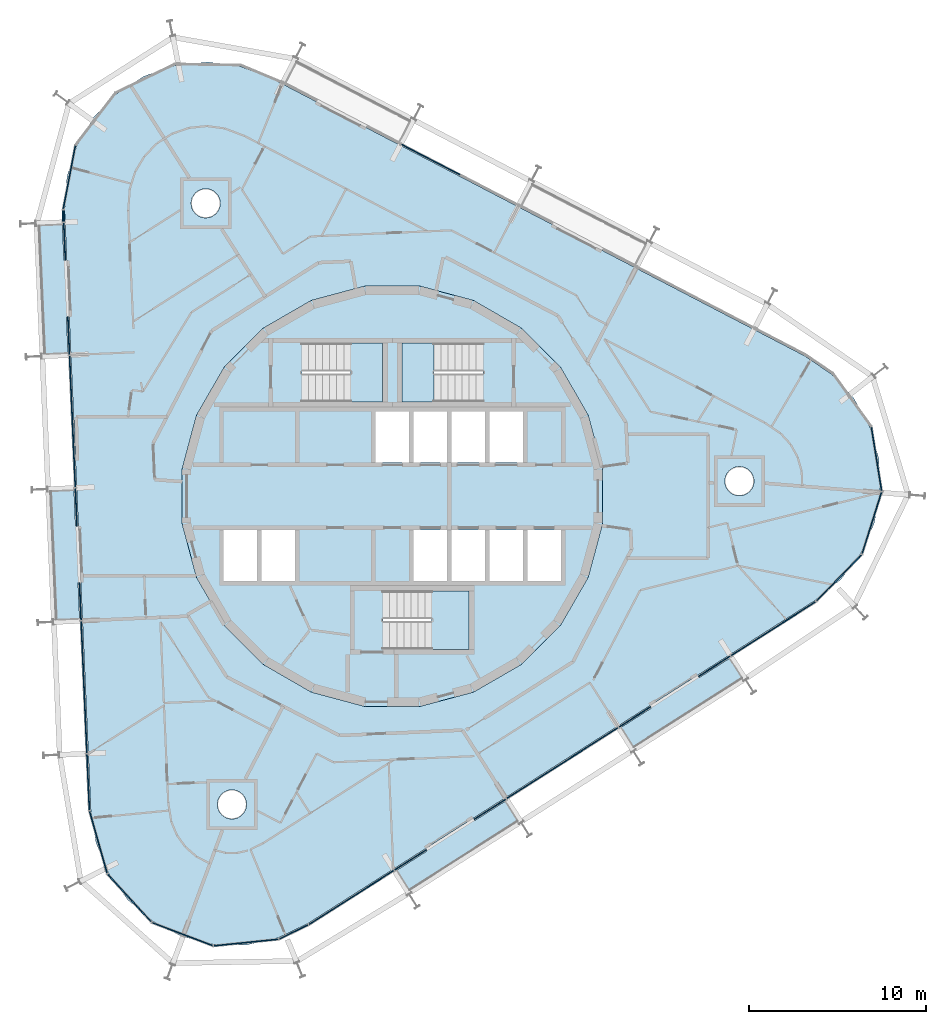
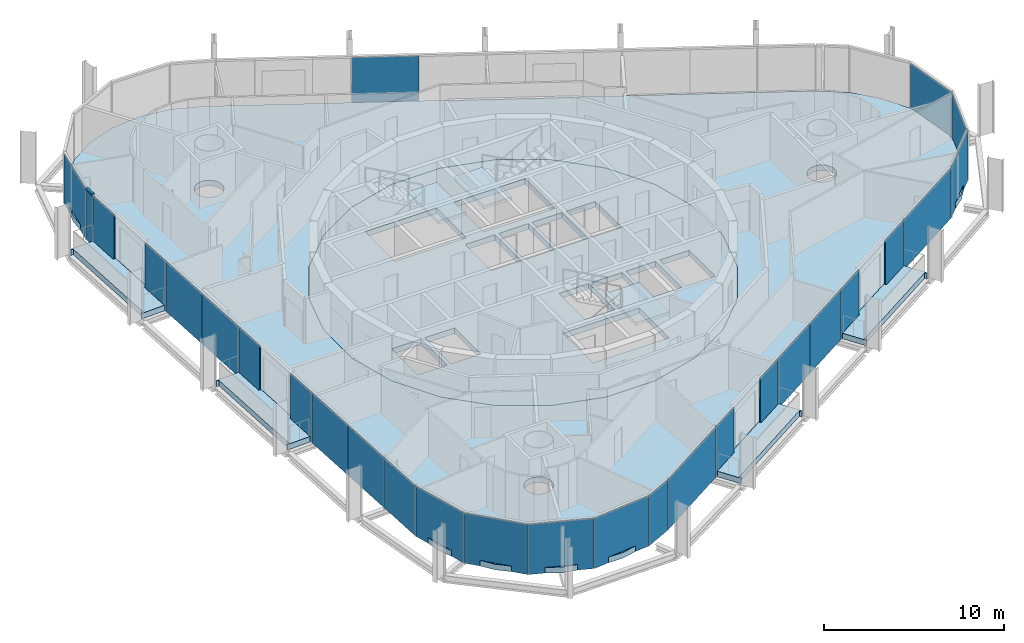
# One storey, part 10 of 18: 28 plates, 9 slabs, 1 member, 9 elements without a shape of their own.
"""IFC4 building model written with IfcOpenShell, lengths in metres."""

from ifc_helpers import new_model, si_unit, direction, frame, origin, origin_2d, place, context, subcontext, project, spatial, polyline, rectangle, outline, extrude, material, layer, layer_set, material_profile, profile_set, type_object, element, aggregate, save


model = new_model("IFC4")

# Units and contexts
model_context = context("Model", 3, precision=1e-05, world=origin(), true_north=direction((0.0, 1.0)))
body_context = subcontext(model_context, "Body", "Model", "MODEL_VIEW")
ifc_project = project(units=[si_unit("LENGTHUNIT", "METRE"), si_unit("AREAUNIT", "SQUARE_METRE"), si_unit("VOLUMEUNIT", "CUBIC_METRE"), si_unit("PLANEANGLEUNIT", "RADIAN"), si_unit("MASSUNIT", "GRAM", prefix="KILO")], contexts=[model_context])

# Site, building, storey
site_placement = place(None, origin())
site = spatial("IfcSite", under=ifc_project, at=site_placement, CompositionType="ELEMENT")
building_placement = place(site_placement, origin())
building = spatial("IfcBuilding", under=site, at=building_placement, Name="Spindle Arch Residences", CompositionType="ELEMENT")
storey_placement = place(building_placement, frame((0.0, 0.0, 233.699951171875)))
storey = spatial("IfcBuildingStorey", under=building, at=storey_placement, Name="L59", CompositionType="ELEMENT", Elevation=233.699951171875)

# Curtain wall, member
ifc_material_1 = material(Name="Aluminium bronze unitised frame with tinted glass", Category="aluminium")
ifc_layer_1 = layer(ifc_material_1, 0.159912109375)
ifc_layer_set_1 = layer_set([ifc_layer_1], Name="CW-D corner wall on the fillet arcs")
curtain_wall_type_1 = type_object("IfcCurtainWallType", Name="CW-D corner wall on the fillet arcs", PredefinedType="NOTDEFINED", material=ifc_layer_set_1)
curtain_wall_1_placement = place(storey_placement, origin())
curtain_wall_1 = element("IfcCurtainWall", 1, at=curtain_wall_1_placement, inside=storey, type_object=curtain_wall_type_1, Name="CW-D L59 run 3", PredefinedType="NOTDEFINED")
ifc_material_2 = material(Name="Aluminium bronze anodised transom", Category="aluminium")
ifc_material_profile = material_profile(ifc_material_2, rectangle(XDim=0.159912109375, YDim=0.1201171875, at=origin_2d()), Name="TR 120x160")
ifc_profile_set = profile_set([ifc_material_profile], Name="Aluminium bronze anodised transom")
member_type = type_object("IfcMemberType", Name="Bronze transom 120x160", PredefinedType="USERDEFINED", material=ifc_profile_set)
member_placement = place(storey_placement, frame((-18.638916015625, 16.2060546875, 3.06005859375), z_axis=(0.043372874815, -0.999058954081, 0.0), x_axis=(0.999058954081, 0.043372874815, 0.0)))
member = element("IfcMember", 2, at=member_placement, type_object=member_type, Name="CW-D transom 05", ObjectType="TRANSOM", PredefinedType="USERDEFINED", context=body_context, shape_type="SweptSolid", body=[
    extrude(rectangle(XDim=0.159912109375, YDim=0.1201171875, at=origin_2d()), origin(), (0.0, 0.0, 1.0), 0.65869140625),
])

# Slabs
ifc_material_3 = material(Name="Concrete C40/50", Category="concrete")
ifc_layer_2 = layer(ifc_material_3, 0.3798828125)
ifc_layer_set_2 = layer_set([ifc_layer_2], Name="Balcony slab 380")
slab_type_1 = type_object("IfcSlabType", Name="Balcony slab 380", PredefinedType="FLOOR", material=ifc_layer_set_2)
slab_1_placement = place(storey_placement, frame((0.0, 0.0, -0.3798828125)))
element("IfcSlab", 3, at=slab_1_placement, inside=storey, type_object=slab_type_1, Name="Balcony L59 bay 1", PredefinedType="FLOOR", context=body_context, shape_type="SweptSolid", body=[
    extrude(outline(polyline([(13.70751953125, -14.36962890625), (13.770751953125, -14.329345703125), (13.690185546875, -14.202880859375), (19.7880859375, -10.318115234375), (19.86865234375, -10.444580078125), (19.931884765625, -10.404296875), (19.13134765625, -9.147705078125), (17.36865234375, -10.270751953125), (17.28271484375, -10.1357421875), (14.583740234375, -11.855224609375), (14.669677734375, -11.989990234375), (12.906982421875, -13.113037109375), (13.70751953125, -14.36962890625)])), origin(), (0.0, 0.0, 1.0), 0.3798828125),
])
slab_2_placement = place(storey_placement, frame((0.0, 0.0, -0.3798828125)))
element("IfcSlab", 4, at=slab_2_placement, inside=storey, type_object=slab_type_1, Name="Balcony L59 bay 13", PredefinedType="FLOOR", context=body_context, shape_type="SweptSolid", body=[
    extrude(outline(polyline([(-20.174072265625, 15.374755859375), (-20.1708984375, 15.2998046875), (-20.02099609375, 15.306396484375), (-19.705810546875, 8.083251953125), (-19.85546875, 8.07666015625), (-19.852294921875, 8.001708984375), (-18.36376953125, 8.066650390625), (-18.454833984375, 10.15478515625), (-18.294921875, 10.161865234375), (-18.4345703125, 13.358642578125), (-18.594482421875, 13.351806640625), (-18.685546875, 15.439697265625), (-20.174072265625, 15.374755859375)])), origin(), (0.0, 0.0, 1.0), 0.3798828125),
])
slab_3_placement = place(storey_placement, frame((0.0, 0.0, -0.3798828125)))
element("IfcSlab", 5, at=slab_3_placement, inside=storey, type_object=slab_type_1, Name="Balcony L59 bay 15", PredefinedType="FLOOR", context=body_context, shape_type="SweptSolid", body=[
    extrude(outline(polyline([(-19.517333984375, 0.3291015625), (-19.513916015625, 0.254150390625), (-19.3642578125, 0.260498046875), (-19.048828125, -6.962646484375), (-19.19873046875, -6.96923828125), (-19.1953125, -7.0439453125), (-17.706787109375, -6.97900390625), (-17.7978515625, -4.89111328125), (-17.63818359375, -4.884033203125), (-17.777587890625, -1.68701171875), (-17.9375, -1.694091796875), (-18.02880859375, 0.39404296875), (-19.517333984375, 0.3291015625)])), origin(), (0.0, 0.0, 1.0), 0.3798828125),
])
slab_4_placement = place(storey_placement, frame((0.0, 0.0, -0.3798828125)))
element("IfcSlab", 6, at=slab_4_placement, inside=storey, type_object=slab_type_1, Name="Balcony L59 bay 21", PredefinedType="FLOOR", context=body_context, shape_type="SweptSolid", body=[
    extrude(outline(polyline([(1.006103515625, -22.46142578125), (1.0693359375, -22.421142578125), (0.988525390625, -22.294677734375), (7.08642578125, -18.409912109375), (7.1669921875, -18.536376953125), (7.230224609375, -18.49609375), (6.4296875, -17.239501953125), (4.6669921875, -18.362548828125), (4.5810546875, -18.2275390625), (1.882080078125, -19.947021484375), (1.968017578125, -20.081787109375), (0.205322265625, -21.204833984375), (1.006103515625, -22.46142578125)])), origin(), (0.0, 0.0, 1.0), 0.3798828125),
])
ifc_material_4 = material(Name="Concrete C50/60", Category="concrete")
ifc_layer_3 = layer(ifc_material_4, 0.3798828125)
ifc_layer_set_3 = layer_set([ifc_layer_3], Name="Core floor slab 380")
slab_type_2 = type_object("IfcSlabType", Name="Core floor slab 380", PredefinedType="FLOOR", material=ifc_layer_set_3)
slab_5_placement = place(storey_placement, frame((0.0, 0.0, -0.3798828125)))
element("IfcSlab", 7, at=slab_5_placement, inside=storey, type_object=slab_type_2, Name="Core floor L59", PredefinedType="FLOOR", context=body_context, shape_type="SweptSolid", body=[
    extrude(outline(polyline([(1.56640625, -11.897216796875), (4.59228515625, -11.086669921875), (7.30517578125, -9.520263671875), (9.520263671875, -7.30517578125), (11.086669921875, -4.59228515625), (11.897216796875, -1.56640625), (11.897216796875, 1.56640625), (11.086669921875, 4.59228515625), (9.520263671875, 7.30517578125), (7.30517578125, 9.520263671875), (4.59228515625, 11.086669921875), (1.56640625, 11.897216796875), (-1.56640625, 11.897216796875), (-4.59228515625, 11.086669921875), (-7.30517578125, 9.520263671875), (-9.520263671875, 7.30517578125), (-11.086669921875, 4.59228515625), (-11.897216796875, 1.56640625), (-11.897216796875, -1.56640625), (-11.086669921875, -4.59228515625), (-9.520263671875, -7.30517578125), (-7.30517578125, -9.520263671875), (-4.59228515625, -11.086669921875), (-1.56640625, -11.897216796875), (1.56640625, -11.897216796875)]), holes=[polyline([(-0.949951171875, 1.89990234375), (0.949951171875, 1.89990234375), (0.949951171875, 4.800048828125), (-0.949951171875, 4.800048828125), (-0.949951171875, 1.89990234375)]), polyline([(1.199951171875, 1.89990234375), (3.10009765625, 1.89990234375), (3.10009765625, 4.800048828125), (1.199951171875, 4.800048828125), (1.199951171875, 1.89990234375)]), polyline([(3.35009765625, 1.89990234375), (5.25, 1.89990234375), (5.25, 4.800048828125), (3.35009765625, 4.800048828125), (3.35009765625, 1.89990234375)]), polyline([(5.5, 1.89990234375), (7.39990234375, 1.89990234375), (7.39990234375, 4.800048828125), (5.5, 4.800048828125), (5.5, 1.89990234375)]), polyline([(-9.550048828125, -4.800048828125), (-7.64990234375, -4.800048828125), (-7.64990234375, -1.89990234375), (-9.550048828125, -1.89990234375), (-9.550048828125, -4.800048828125)]), polyline([(-7.39990234375, -4.800048828125), (-5.5, -4.800048828125), (-5.5, -1.89990234375), (-7.39990234375, -1.89990234375), (-7.39990234375, -4.800048828125)]), polyline([(1.199951171875, -4.800048828125), (3.10009765625, -4.800048828125), (3.10009765625, -1.89990234375), (1.199951171875, -1.89990234375), (1.199951171875, -4.800048828125)]), polyline([(3.35009765625, -4.800048828125), (5.25, -4.800048828125), (5.25, -1.89990234375), (3.35009765625, -1.89990234375), (3.35009765625, -4.800048828125)]), polyline([(5.5, -4.800048828125), (7.39990234375, -4.800048828125), (7.39990234375, -1.89990234375), (5.5, -1.89990234375), (5.5, -4.800048828125)]), polyline([(7.64990234375, -4.800048828125), (9.550048828125, -4.800048828125), (9.550048828125, -1.89990234375), (7.64990234375, -1.89990234375), (7.64990234375, -4.800048828125)]), polyline([(5.1298828125, 8.669921875), (0.550048828125, 8.669921875), (0.550048828125, 5.35009765625), (5.1298828125, 5.35009765625), (5.1298828125, 8.669921875)]), polyline([(-5.1298828125, 5.35009765625), (-0.550048828125, 5.35009765625), (-0.550048828125, 8.669921875), (-5.1298828125, 8.669921875), (-5.1298828125, 5.35009765625)]), polyline([(-0.530029296875, -8.669921875), (4.35009765625, -8.669921875), (4.35009765625, -5.35009765625), (-0.530029296875, -5.35009765625), (-0.530029296875, -8.669921875)])]), origin(), (0.0, 0.0, 1.0), 0.3798828125),
])

# Stair, slab
ifc_material_5 = material(Name="Concrete C50/60", Category="concrete")
stair_type = type_object("IfcStairType", Name="Exit stair 16 risers", PredefinedType="HALF_TURN_STAIR", material=ifc_material_5)
stair_1_placement = place(storey_placement, origin())
stair_1 = element("IfcStair", 8, at=stair_1_placement, inside=storey, type_object=stair_type, Name="L59 Exit stair ST1", PredefinedType="HALF_TURN_STAIR")
ifc_material_6 = material(Name="Concrete C50/60", Category="concrete")
ifc_layer_4 = layer(ifc_material_6, 0.219970703125)
ifc_layer_set_4 = layer_set([ifc_layer_4], Name="Exit stair landing 220")
slab_type_3 = type_object("IfcSlabType", Name="Exit stair landing 220", PredefinedType="LANDING", material=ifc_layer_set_4)
slab_6_placement = place(storey_placement, frame((0.0, 0.0, 1.530029296875)))
slab_6 = element("IfcSlab", 9, at=slab_6_placement, type_object=slab_type_3, Name="ST1 landing 1", PredefinedType="LANDING", context=body_context, shape_type="SweptSolid", body=[
    extrude(outline(polyline([(2.3701171875, 8.669921875), (0.550048828125, 8.669921875), (0.550048828125, 5.35009765625), (2.3701171875, 5.35009765625), (2.3701171875, 8.669921875)])), origin(), (0.0, 0.0, 1.0), 0.219970703125),
])
aggregate(stair_1, [slab_6])

stair_2_placement = place(storey_placement, origin())
stair_2 = element("IfcStair", 10, at=stair_2_placement, inside=storey, type_object=stair_type, Name="L59 Exit stair ST2", PredefinedType="HALF_TURN_STAIR")
slab_7_placement = place(storey_placement, frame((0.0, 0.0, 1.530029296875)))
slab_7 = element("IfcSlab", 11, at=slab_7_placement, type_object=slab_type_3, Name="ST2 landing 1", PredefinedType="LANDING", context=body_context, shape_type="SweptSolid", body=[
    extrude(outline(polyline([(-2.3701171875, 5.35009765625), (-0.550048828125, 5.35009765625), (-0.550048828125, 8.669921875), (-2.3701171875, 8.669921875), (-2.3701171875, 5.35009765625)])), origin(), (0.0, 0.0, 1.0), 0.219970703125),
])
aggregate(stair_2, [slab_7])

stair_3_placement = place(storey_placement, origin())
stair_3 = element("IfcStair", 12, at=stair_3_placement, inside=storey, type_object=stair_type, Name="L59 Exit stair ST3", PredefinedType="HALF_TURN_STAIR")
slab_8_placement = place(storey_placement, frame((0.0, 0.0, 1.530029296875)))
slab_8 = element("IfcSlab", 13, at=slab_8_placement, type_object=slab_type_3, Name="ST3 landing 1", PredefinedType="LANDING", context=body_context, shape_type="SweptSolid", body=[
    extrude(outline(polyline([(2.22998046875, -8.669921875), (4.35009765625, -8.669921875), (4.35009765625, -5.35009765625), (2.22998046875, -5.35009765625), (2.22998046875, -8.669921875)])), origin(), (0.0, 0.0, 1.0), 0.219970703125),
])
aggregate(stair_3, [slab_8])

# Slab
ifc_material_7 = material(Name="Concrete C40/50", Category="concrete")
ifc_layer_5 = layer(ifc_material_7, 0.3798828125)
ifc_layer_set_5 = layer_set([ifc_layer_5], Name="Floor slab 380")
slab_type_4 = type_object("IfcSlabType", Name="Floor slab 380", PredefinedType="FLOOR", material=ifc_layer_set_5)
slab_9_placement = place(storey_placement, frame((0.0, 0.0, -0.3798828125)))
element("IfcSlab", 14, at=slab_9_placement, inside=storey, type_object=slab_type_4, Name="Floor slab L59", PredefinedType="FLOOR", context=body_context, shape_type="SweptSolid", body=[
    extrude(outline(polyline([(-6.45556640625, -25.0029296875), (-8.268798828125, -25.40478515625), (-10.126220703125, -25.3779296875), (-11.92724609375, -24.92333984375), (-13.57470703125, -24.065673828125), (-14.980224609375, -22.85107421875), (-16.067626953125, -21.34521484375), (-16.778564453125, -19.629150390625), (-17.074462890625, -17.79541015625), (-18.560302734375, 16.239501953125), (-18.42529296875, 18.092041015625), (-17.866943359375, 19.863525390625), (-16.914794921875, 21.45849609375), (-15.62060546875, 22.791015625), (-14.053955078125, 23.788818359375), (-12.299560546875, 24.398681640625), (-10.45166015625, 24.587646484375), (-8.610107421875, 24.34521484375), (-6.8740234375, 23.6845703125), (23.343994140625, 7.9541015625), (24.880859375, 6.910888671875), (26.1357421875, 5.54150390625), (27.041015625, 3.91943359375), (27.5478515625, 2.13232421875), (27.62890625, 0.276611328125), (27.27978515625, -1.547607421875), (26.519287109375, -3.242431640625), (25.388427734375, -4.716064453125), (23.948486328125, -5.88916015625), (9.58251953125, -15.041259765625), (-4.78369140625, -24.193603515625), (-6.45556640625, -25.0029296875)]), holes=[polyline([(7.30517578125, -9.520263671875), (9.520263671875, -7.30517578125), (11.086669921875, -4.59228515625), (11.897216796875, -1.56640625), (11.897216796875, 1.56640625), (11.086669921875, 4.59228515625), (9.520263671875, 7.30517578125), (7.30517578125, 9.520263671875), (4.59228515625, 11.086669921875), (1.56640625, 11.897216796875), (-1.56640625, 11.897216796875), (-4.59228515625, 11.086669921875), (-7.30517578125, 9.520263671875), (-9.520263671875, 7.30517578125), (-11.086669921875, 4.59228515625), (-11.897216796875, 1.56640625), (-11.897216796875, -1.56640625), (-11.086669921875, -4.59228515625), (-9.520263671875, -7.30517578125), (-7.30517578125, -9.520263671875), (-4.59228515625, -11.086669921875), (-1.56640625, -11.897216796875), (1.56640625, -11.897216796875), (4.59228515625, -11.086669921875), (7.30517578125, -9.520263671875)]), polyline([(-8.39599609375, -17.904541015625), (-8.31982421875, -17.761962890625), (-8.27294921875, -17.607177734375), (-8.257080078125, -17.4462890625), (-8.27294921875, -17.285400390625), (-8.31982421875, -17.130615234375), (-8.39599609375, -16.988037109375), (-8.49853515625, -16.86279296875), (-8.623779296875, -16.76025390625), (-8.766357421875, -16.68408203125), (-8.921142578125, -16.63720703125), (-9.08203125, -16.621337890625), (-9.242919921875, -16.63720703125), (-9.397705078125, -16.68408203125), (-9.540283203125, -16.76025390625), (-9.665283203125, -16.86279296875), (-9.76806640625, -16.988037109375), (-9.84423828125, -17.130615234375), (-9.89111328125, -17.285400390625), (-9.906982421875, -17.4462890625), (-9.89111328125, -17.607177734375), (-9.84423828125, -17.761962890625), (-9.76806640625, -17.904541015625), (-9.665283203125, -18.02978515625), (-9.540283203125, -18.13232421875), (-9.397705078125, -18.20849609375), (-9.242919921875, -18.25537109375), (-9.08203125, -18.271240234375), (-8.921142578125, -18.25537109375), (-8.766357421875, -18.20849609375), (-8.623779296875, -18.13232421875), (-8.49853515625, -18.02978515625), (-8.39599609375, -17.904541015625)]), polyline([(-9.882080078125, 16.130126953125), (-9.805908203125, 16.272705078125), (-9.7587890625, 16.427490234375), (-9.742919921875, 16.58837890625), (-9.7587890625, 16.749267578125), (-9.805908203125, 16.904052734375), (-9.882080078125, 17.046630859375), (-9.984619140625, 17.171875), (-10.109619140625, 17.2744140625), (-10.252197265625, 17.3505859375), (-10.406982421875, 17.3974609375), (-10.568115234375, 17.413330078125), (-10.72900390625, 17.3974609375), (-10.8837890625, 17.3505859375), (-11.0263671875, 17.2744140625), (-11.1513671875, 17.171875), (-11.25390625, 17.046630859375), (-11.330078125, 16.904052734375), (-11.377197265625, 16.749267578125), (-11.39306640625, 16.58837890625), (-11.377197265625, 16.427490234375), (-11.330078125, 16.272705078125), (-11.25390625, 16.130126953125), (-11.1513671875, 16.0048828125), (-11.0263671875, 15.90234375), (-10.8837890625, 15.826171875), (-10.72900390625, 15.779296875), (-10.568115234375, 15.763427734375), (-10.406982421875, 15.779296875), (-10.252197265625, 15.826171875), (-10.109619140625, 15.90234375), (-9.984619140625, 16.0048828125), (-9.882080078125, 16.130126953125)]), polyline([(20.2333984375, 0.2744140625), (20.3359375, 0.399658203125), (20.412109375, 0.542236328125), (20.458984375, 0.697021484375), (20.47509765625, 0.85791015625), (20.458984375, 1.018798828125), (20.412109375, 1.173583984375), (20.3359375, 1.316162109375), (20.2333984375, 1.44140625), (20.1083984375, 1.5439453125), (19.9658203125, 1.6201171875), (19.810791015625, 1.6669921875), (19.64990234375, 1.682861328125), (19.489013671875, 1.6669921875), (19.334228515625, 1.6201171875), (19.191650390625, 1.5439453125), (19.066650390625, 1.44140625), (18.964111328125, 1.316162109375), (18.8876953125, 1.173583984375), (18.8408203125, 1.018798828125), (18.824951171875, 0.85791015625), (18.8408203125, 0.697021484375), (18.8876953125, 0.542236328125), (18.964111328125, 0.399658203125), (19.066650390625, 0.2744140625), (19.191650390625, 0.171875), (19.334228515625, 0.095703125), (19.489013671875, 0.048828125), (19.64990234375, 0.032958984375), (19.810791015625, 0.048828125), (19.9658203125, 0.095703125), (20.1083984375, 0.171875), (20.2333984375, 0.2744140625)])]), origin(), (0.0, 0.0, 1.0), 0.3798828125),
])

# Curtain wall, plates
curtain_wall_2_placement = place(storey_placement, origin())
curtain_wall_2 = element("IfcCurtainWall", 15, at=curtain_wall_2_placement, inside=storey, type_object=curtain_wall_type_1, Name="CW-D L59 run 1", PredefinedType="NOTDEFINED")
ifc_material_8 = material(Name="Tinted double glazing over aluminium faced non-combustible spandrel zone (K0)", Category="aluminium")
ifc_layer_6 = layer(ifc_material_8, 0.06005859375)
ifc_layer_set_6 = layer_set([ifc_layer_6], Name="Unitised glass panel with E 60 spandrel zone")
plate_type = type_object("IfcPlateType", Name="Unitised glass panel with E 60 spandrel zone", PredefinedType="CURTAIN_PANEL", material=ifc_layer_set_6)
plate_1_placement = place(storey_placement, frame((21.571533203125, -7.498291015625, -0.3798828125), z_axis=(0.0, 0.0, 1.0), x_axis=(0.843391445813, 0.537299608347, 0.0)))
plate_1 = element("IfcPlate", 16, at=plate_1_placement, type_object=plate_type, Name="CW-D unit 00", PredefinedType="CURTAIN_PANEL", context=body_context, shape_type="SweptSolid", body=[
    extrude(rectangle(XDim=5.678466796875, YDim=0.06005859375, at=origin_2d()), origin(), (0.0, 0.0, 1.0), 3.3798828125),
])
plate_2_placement = place(storey_placement, frame((25.28955078125, -4.6201171875, -0.3798828125), z_axis=(0.0, 0.0, 1.0), x_axis=(0.696747904692, 0.71731607908, 0.0)))
plate_2 = element("IfcPlate", 17, at=plate_2_placement, type_object=plate_type, Name="CW-D unit 01", PredefinedType="CURTAIN_PANEL", context=body_context, shape_type="SweptSolid", body=[
    extrude(rectangle(XDim=3.666748046875, YDim=0.06005859375, at=origin_2d()), origin(), (0.0, 0.0, 1.0), 3.3798828125),
])
plate_3_placement = place(storey_placement, frame((27.148193359375, -1.50634765625, -0.3798828125), z_axis=(0.0, 0.0, 1.0), x_axis=(0.300705803932, 0.953716949352, 0.0)))
plate_3 = element("IfcPlate", 18, at=plate_3_placement, type_object=plate_type, Name="CW-D unit 02", PredefinedType="CURTAIN_PANEL", context=body_context, shape_type="SweptSolid", body=[
    extrude(rectangle(XDim=3.666748046875, YDim=0.06005859375, at=origin_2d()), origin(), (0.0, 0.0, 1.0), 3.3798828125),
])
plate_4_placement = place(storey_placement, frame((27.411865234375, 2.1103515625, -0.3798828125), z_axis=(0.0, 0.0, 1.0), x_axis=(-0.15930686075, 0.987229114298, 0.0)))
plate_4 = element("IfcPlate", 19, at=plate_4_placement, type_object=plate_type, Name="CW-D unit 03", PredefinedType="CURTAIN_PANEL", context=body_context, shape_type="SweptSolid", body=[
    extrude(rectangle(XDim=3.666748046875, YDim=0.06005859375, at=origin_2d()), origin(), (0.0, 0.0, 1.0), 3.3798828125),
])
aggregate(curtain_wall_2, [plate_1, plate_2, plate_3, plate_4])

# Curtain wall, plate
ifc_material_9 = material(Name="Aluminium bronze unitised frame with tinted glass", Category="aluminium")
ifc_layer_7 = layer(ifc_material_9, 0.159912109375)
ifc_layer_set_7 = layer_set([ifc_layer_7], Name="CW-C typical residential unitised wall")
curtain_wall_type_2 = type_object("IfcCurtainWallType", Name="CW-C typical residential unitised wall", PredefinedType="NOTDEFINED", material=ifc_layer_set_7)
curtain_wall_3_placement = place(storey_placement, origin())
curtain_wall_3 = element("IfcCurtainWall", 20, at=curtain_wall_3_placement, inside=storey, type_object=curtain_wall_type_2, Name="CW-C L59 run 2", PredefinedType="NOTDEFINED")
plate_5_placement = place(storey_placement, frame((2.16259765625, 19.070556640625, -0.3798828125), z_axis=(0.0, 0.0, 1.0), x_axis=(-0.887010833178, 0.461748613235, 0.0)))
plate_5 = element("IfcPlate", 21, at=plate_5_placement, type_object=plate_type, Name="CW-C unit 07B", PredefinedType="CURTAIN_PANEL", context=body_context, shape_type="SweptSolid", body=[
    extrude(rectangle(XDim=3.735107421875, YDim=0.06005859375, at=origin_2d()), origin(), (0.0, 0.0, 1.0), 3.3798828125),
])
aggregate(curtain_wall_3, [plate_5])

# Plate
plate_6_placement = place(storey_placement, frame((-18.2900390625, 18.066162109375, -0.3798828125), z_axis=(0.0, 0.0, 1.0), x_axis=(-0.187952756314, -0.982178070104, 0.0)))
plate_6 = element("IfcPlate", 22, at=plate_6_placement, type_object=plate_type, Name="CW-D unit 04", PredefinedType="CURTAIN_PANEL", context=body_context, shape_type="SweptSolid", body=[
    extrude(rectangle(XDim=3.666748046875, YDim=0.06005859375, at=origin_2d()), origin(), (0.0, 0.0, 1.0), 3.3798828125),
])

plate_7_placement = place(storey_placement, frame((-18.62451171875, 15.877197265625, -0.3798828125), z_axis=(0.0, 0.0, 1.0), x_axis=(0.043619387365, -0.999048221582, 0.0)))
plate_7 = element("IfcPlate", 23, at=plate_7_placement, type_object=plate_type, Name="CW-D unit 05", PredefinedType="CURTAIN_PANEL", context=body_context, shape_type="SweptSolid", body=[
    extrude(rectangle(XDim=0.658447265625, YDim=0.06005859375, at=origin_2d()), origin(), (0.0, 0.0, 1.0), 3.3798828125),
])

aggregate(curtain_wall_1, [plate_6, member, plate_7])

# Curtain wall, plates
curtain_wall_4_placement = place(storey_placement, origin())
curtain_wall_4 = element("IfcCurtainWall", 24, at=curtain_wall_4_placement, inside=storey, type_object=curtain_wall_type_2, Name="CW-C L59 run 4", PredefinedType="NOTDEFINED")
plate_8_placement = place(storey_placement, frame((-18.56103515625, 14.421875, -0.3798828125), z_axis=(0.0, 0.0, 1.0), x_axis=(0.043619387365, -0.999048221582, 0.0)))
plate_8 = element("IfcPlate", 25, at=plate_8_placement, type_object=plate_type, Name="CW-C unit 12L", PredefinedType="CURTAIN_PANEL", context=body_context, shape_type="SweptSolid", body=[
    extrude(rectangle(XDim=2.135009765625, YDim=0.06005859375, at=origin_2d()), origin(), (0.0, 0.0, 1.0), 3.3798828125),
])
plate_9_placement = place(storey_placement, frame((-18.328369140625, 9.091796875, -0.3798828125), z_axis=(0.0, 0.0, 1.0), x_axis=(0.043619387365, -0.999048221582, 0.0)))
plate_9 = element("IfcPlate", 26, at=plate_9_placement, type_object=plate_type, Name="CW-C unit 12R", PredefinedType="CURTAIN_PANEL", context=body_context, shape_type="SweptSolid", body=[
    extrude(rectangle(XDim=2.135009765625, YDim=0.06005859375, at=origin_2d()), origin(), (0.0, 0.0, 1.0), 3.3798828125),
])
plate_10_placement = place(storey_placement, frame((-18.19775390625, 6.099609375, -0.3798828125), z_axis=(0.0, 0.0, 1.0), x_axis=(0.043619387365, -0.999048221582, 0.0)))
plate_10 = element("IfcPlate", 27, at=plate_10_placement, type_object=plate_type, Name="CW-C unit 13A", PredefinedType="CURTAIN_PANEL", context=body_context, shape_type="SweptSolid", body=[
    extrude(rectangle(XDim=3.735107421875, YDim=0.06005859375, at=origin_2d()), origin(), (0.0, 0.0, 1.0), 3.3798828125),
])
plate_11_placement = place(storey_placement, frame((-18.034912109375, 2.3681640625, -0.3798828125), z_axis=(0.0, 0.0, 1.0), x_axis=(0.043619387365, -0.999048221582, 0.0)))
plate_11 = element("IfcPlate", 28, at=plate_11_placement, type_object=plate_type, Name="CW-C unit 13B", PredefinedType="CURTAIN_PANEL", context=body_context, shape_type="SweptSolid", body=[
    extrude(rectangle(XDim=3.735107421875, YDim=0.06005859375, at=origin_2d()), origin(), (0.0, 0.0, 1.0), 3.3798828125),
])
plate_12_placement = place(storey_placement, frame((-17.904052734375, -0.6240234375, -0.3798828125), z_axis=(0.0, 0.0, 1.0), x_axis=(0.043619387365, -0.999048221582, 0.0)))
plate_12 = element("IfcPlate", 29, at=plate_12_placement, type_object=plate_type, Name="CW-C unit 14L", PredefinedType="CURTAIN_PANEL", context=body_context, shape_type="SweptSolid", body=[
    extrude(rectangle(XDim=2.135009765625, YDim=0.06005859375, at=origin_2d()), origin(), (0.0, 0.0, 1.0), 3.3798828125),
])
plate_13_placement = place(storey_placement, frame((-17.67138671875, -5.9541015625, -0.3798828125), z_axis=(0.0, 0.0, 1.0), x_axis=(0.043619387365, -0.999048221582, 0.0)))
plate_13 = element("IfcPlate", 30, at=plate_13_placement, type_object=plate_type, Name="CW-C unit 14R", PredefinedType="CURTAIN_PANEL", context=body_context, shape_type="SweptSolid", body=[
    extrude(rectangle(XDim=2.135009765625, YDim=0.06005859375, at=origin_2d()), origin(), (0.0, 0.0, 1.0), 3.3798828125),
])
plate_14_placement = place(storey_placement, frame((-17.540771484375, -8.9462890625, -0.3798828125), z_axis=(0.0, 0.0, 1.0), x_axis=(0.043619387365, -0.999048221582, 0.0)))
plate_14 = element("IfcPlate", 31, at=plate_14_placement, type_object=plate_type, Name="CW-C unit 15A", PredefinedType="CURTAIN_PANEL", context=body_context, shape_type="SweptSolid", body=[
    extrude(rectangle(XDim=3.735107421875, YDim=0.06005859375, at=origin_2d()), origin(), (0.0, 0.0, 1.0), 3.3798828125),
])
plate_15_placement = place(storey_placement, frame((-17.3779296875, -12.677734375, -0.3798828125), z_axis=(0.0, 0.0, 1.0), x_axis=(0.043619387365, -0.999048221582, 0.0)))
plate_15 = element("IfcPlate", 32, at=plate_15_placement, type_object=plate_type, Name="CW-C unit 15B", PredefinedType="CURTAIN_PANEL", context=body_context, shape_type="SweptSolid", body=[
    extrude(rectangle(XDim=3.735107421875, YDim=0.06005859375, at=origin_2d()), origin(), (0.0, 0.0, 1.0), 3.3798828125),
])
aggregate(curtain_wall_4, [plate_8, plate_9, plate_10, plate_11, plate_12, plate_13, plate_14, plate_15])

curtain_wall_5_placement = place(storey_placement, origin())
curtain_wall_5 = element("IfcCurtainWall", 33, at=curtain_wall_5_placement, inside=storey, type_object=curtain_wall_type_1, Name="CW-D L59 run 5", PredefinedType="NOTDEFINED")
plate_16_placement = place(storey_placement, frame((-17.224609375, -16.18603515625, -0.3798828125), z_axis=(0.0, 0.0, 1.0), x_axis=(0.043619387365, -0.999048221582, 0.0)))
plate_16 = element("IfcPlate", 34, at=plate_16_placement, type_object=plate_type, Name="CW-D unit 00", PredefinedType="CURTAIN_PANEL", context=body_context, shape_type="SweptSolid", body=[
    extrude(rectangle(XDim=3.16845703125, YDim=0.06005859375, at=origin_2d()), origin(), (0.0, 0.0, 1.0), 3.3798828125),
])
plate_17_placement = place(storey_placement, frame((-16.64599609375, -19.591552734375, -0.3798828125), z_axis=(0.0, 0.0, 1.0), x_axis=(0.272839997585, -0.962059424213, 0.0)))
plate_17 = element("IfcPlate", 35, at=plate_17_placement, type_object=plate_type, Name="CW-D unit 01", PredefinedType="CURTAIN_PANEL", context=body_context, shape_type="SweptSolid", body=[
    extrude(rectangle(XDim=3.666748046875, YDim=0.06005859375, at=origin_2d()), origin(), (0.0, 0.0, 1.0), 3.3798828125),
])
plate_18_placement = place(storey_placement, frame((-14.878662109375, -22.758056640625, -0.3798828125), z_axis=(0.0, 0.0, 1.0), x_axis=(0.675590207538, -0.737277336881, 0.0)))
plate_18 = element("IfcPlate", 36, at=plate_18_placement, type_object=plate_type, Name="CW-D unit 02", PredefinedType="CURTAIN_PANEL", context=body_context, shape_type="SweptSolid", body=[
    extrude(rectangle(XDim=3.666748046875, YDim=0.06005859375, at=origin_2d()), origin(), (0.0, 0.0, 1.0), 3.3798828125),
])
plate_19_placement = place(storey_placement, frame((-11.878173828125, -24.79443359375, -0.3798828125), z_axis=(0.0, 0.0, 1.0), x_axis=(0.934618925661, -0.355650760994, 0.0)))
plate_19 = element("IfcPlate", 37, at=plate_19_placement, type_object=plate_type, Name="CW-D unit 03", PredefinedType="CURTAIN_PANEL", context=body_context, shape_type="SweptSolid", body=[
    extrude(rectangle(XDim=3.666748046875, YDim=0.06005859375, at=origin_2d()), origin(), (0.0, 0.0, 1.0), 3.3798828125),
])
plate_20_placement = place(storey_placement, frame((-8.282958984375, -25.267822265625, -0.3798828125), z_axis=(0.0, 0.0, 1.0), x_axis=(0.994821748016, 0.10163508092, 0.0)))
plate_20 = element("IfcPlate", 38, at=plate_20_placement, type_object=plate_type, Name="CW-D unit 04", PredefinedType="CURTAIN_PANEL", context=body_context, shape_type="SweptSolid", body=[
    extrude(rectangle(XDim=3.666748046875, YDim=0.06005859375, at=origin_2d()), origin(), (0.0, 0.0, 1.0), 3.3798828125),
])
plate_21_placement = place(storey_placement, frame((-5.5849609375, -24.669677734375, -0.3798828125), z_axis=(0.0, 0.0, 1.0), x_axis=(0.900065409973, 0.435754813823, 0.0)))
plate_21 = element("IfcPlate", 39, at=plate_21_placement, type_object=plate_type, Name="CW-D unit 05", PredefinedType="CURTAIN_PANEL", context=body_context, shape_type="SweptSolid", body=[
    extrude(rectangle(XDim=1.816162109375, YDim=0.06005859375, at=origin_2d()), origin(), (0.0, 0.0, 1.0), 3.3798828125),
])
plate_22_placement = place(storey_placement, frame((-2.32080078125, -22.71923828125, -0.3798828125), z_axis=(0.0, 0.0, 1.0), x_axis=(0.843391445813, 0.537299608347, 0.0)))
plate_22 = element("IfcPlate", 40, at=plate_22_placement, type_object=plate_type, Name="CW-D unit 06", PredefinedType="CURTAIN_PANEL", context=body_context, shape_type="SweptSolid", body=[
    extrude(rectangle(XDim=5.678466796875, YDim=0.06005859375, at=origin_2d()), origin(), (0.0, 0.0, 1.0), 3.3798828125),
])
aggregate(curtain_wall_5, [plate_16, plate_17, plate_18, plate_19, plate_20, plate_21, plate_22])

curtain_wall_6_placement = place(storey_placement, origin())
curtain_wall_6 = element("IfcCurtainWall", 41, at=curtain_wall_6_placement, inside=storey, type_object=curtain_wall_type_2, Name="CW-C L59 run 6", PredefinedType="NOTDEFINED")
plate_23_placement = place(storey_placement, frame((1.02490234375, -20.587890625, -0.3798828125), z_axis=(0.0, 0.0, 1.0), x_axis=(0.843391445813, 0.537299608347, 0.0)))
plate_23 = element("IfcPlate", 42, at=plate_23_placement, type_object=plate_type, Name="CW-C unit 20L", PredefinedType="CURTAIN_PANEL", context=body_context, shape_type="SweptSolid", body=[
    extrude(rectangle(XDim=2.135009765625, YDim=0.06005859375, at=origin_2d()), origin(), (0.0, 0.0, 1.0), 3.3798828125),
])
plate_24_placement = place(storey_placement, frame((5.5244140625, -17.721435546875, -0.3798828125), z_axis=(0.0, 0.0, 1.0), x_axis=(0.843391445813, 0.537299608347, 0.0)))
plate_24 = element("IfcPlate", 43, at=plate_24_placement, type_object=plate_type, Name="CW-C unit 20R", PredefinedType="CURTAIN_PANEL", context=body_context, shape_type="SweptSolid", body=[
    extrude(rectangle(XDim=2.135009765625, YDim=0.06005859375, at=origin_2d()), origin(), (0.0, 0.0, 1.0), 3.3798828125),
])
plate_25_placement = place(storey_placement, frame((8.05029296875, -16.1123046875, -0.3798828125), z_axis=(0.0, 0.0, 1.0), x_axis=(0.843391445813, 0.537299608347, 0.0)))
plate_25 = element("IfcPlate", 44, at=plate_25_placement, type_object=plate_type, Name="CW-C unit 21A", PredefinedType="CURTAIN_PANEL", context=body_context, shape_type="SweptSolid", body=[
    extrude(rectangle(XDim=3.735107421875, YDim=0.06005859375, at=origin_2d()), origin(), (0.0, 0.0, 1.0), 3.3798828125),
])
plate_26_placement = place(storey_placement, frame((11.200439453125, -14.10546875, -0.3798828125), z_axis=(0.0, 0.0, 1.0), x_axis=(0.843391445813, 0.537299608347, 0.0)))
plate_26 = element("IfcPlate", 45, at=plate_26_placement, type_object=plate_type, Name="CW-C unit 21B", PredefinedType="CURTAIN_PANEL", context=body_context, shape_type="SweptSolid", body=[
    extrude(rectangle(XDim=3.735107421875, YDim=0.06005859375, at=origin_2d()), origin(), (0.0, 0.0, 1.0), 3.3798828125),
])
plate_27_placement = place(storey_placement, frame((13.726318359375, -12.49609375, -0.3798828125), z_axis=(0.0, 0.0, 1.0), x_axis=(0.843391445813, 0.537299608347, 0.0)))
plate_27 = element("IfcPlate", 46, at=plate_27_placement, type_object=plate_type, Name="CW-C unit 00L", PredefinedType="CURTAIN_PANEL", context=body_context, shape_type="SweptSolid", body=[
    extrude(rectangle(XDim=2.135009765625, YDim=0.06005859375, at=origin_2d()), origin(), (0.0, 0.0, 1.0), 3.3798828125),
])
plate_28_placement = place(storey_placement, frame((18.225830078125, -9.629638671875, -0.3798828125), z_axis=(0.0, 0.0, 1.0), x_axis=(0.843391445813, 0.537299608347, 0.0)))
plate_28 = element("IfcPlate", 47, at=plate_28_placement, type_object=plate_type, Name="CW-C unit 00R", PredefinedType="CURTAIN_PANEL", context=body_context, shape_type="SweptSolid", body=[
    extrude(rectangle(XDim=2.135009765625, YDim=0.06005859375, at=origin_2d()), origin(), (0.0, 0.0, 1.0), 3.3798828125),
])
aggregate(curtain_wall_6, [plate_23, plate_24, plate_25, plate_26, plate_27, plate_28])

save(model, "model.ifc")
